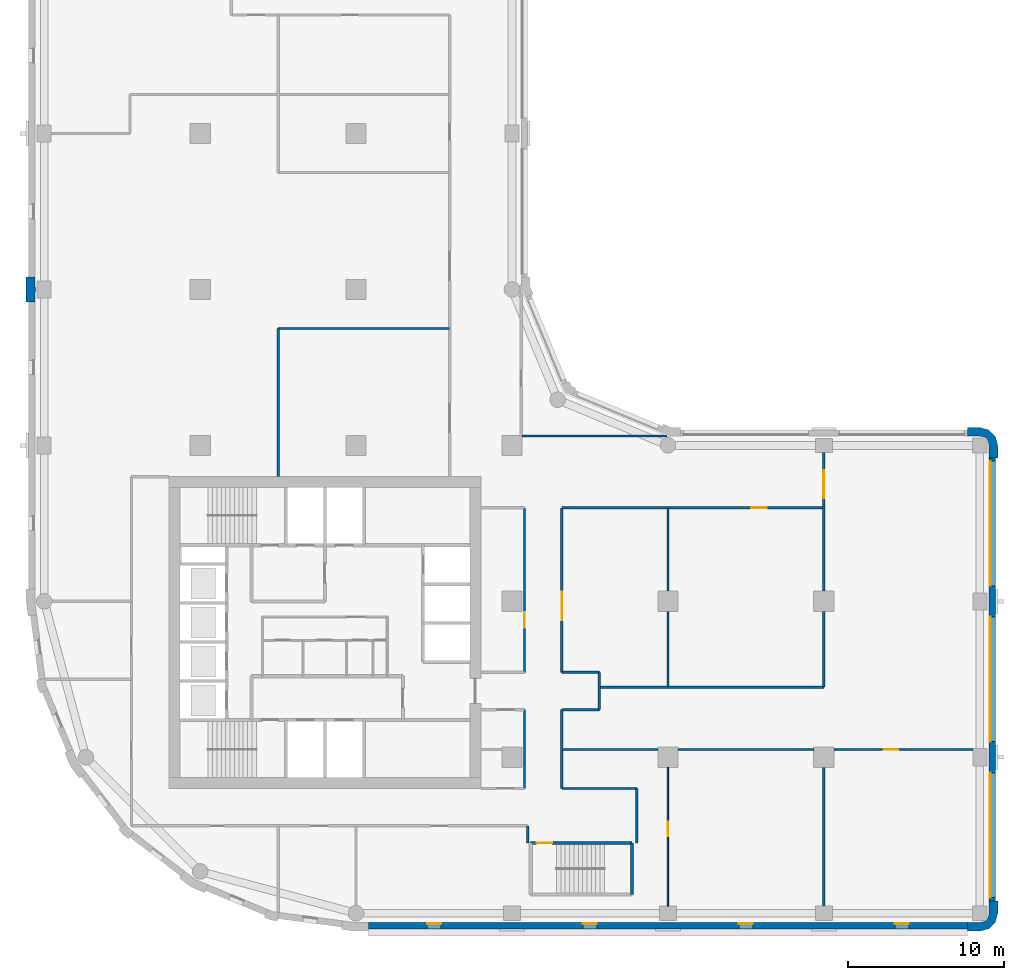
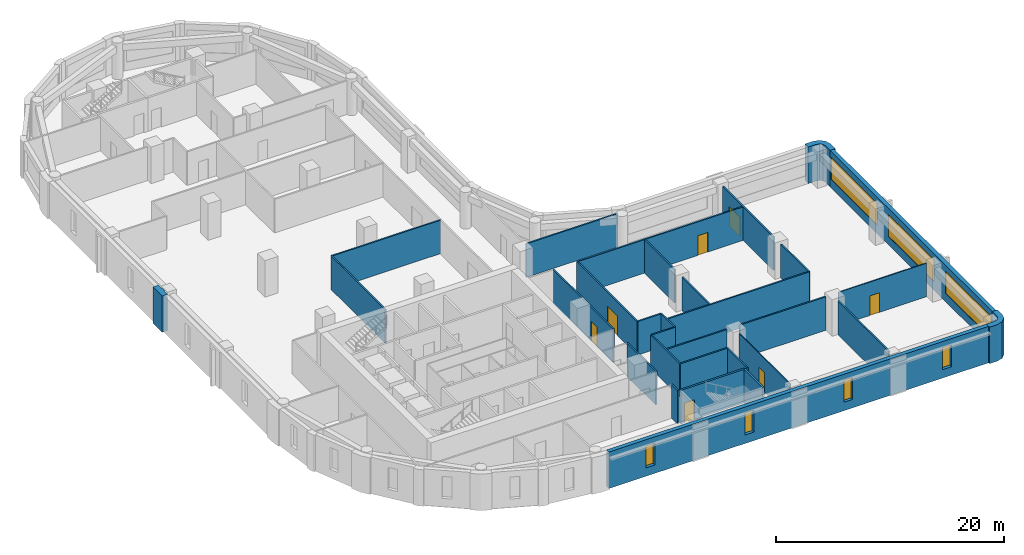
# One storey, part 4 of 9: 31 walls, 7 doors, 7 windows, 14 openings.
"""IFC4 building model written with IfcOpenShell, lengths in metres."""

import ifcopenshell
import ifcopenshell.guid

model = None  # the IFC model being written
_history = None  # IfcOwnerHistory: only IFC2X3 demands one
_inside = {}  # id of a spatial element -> (the spatial element, [elements in it])
_under = {}  # id of a project, library or spatial element -> (it, [spatial elements below it])
_declared = {}  # id of a project -> (the project, [libraries it declares])
_typed = {}  # id of a type object -> (the type object, [elements of that type])
_made_of = {}  # id of a material, layer set ... -> (it, [elements and type objects made of it])


def new_model(schema):
    """Start an empty IFC model of exactly this schema.

    Asked for "IFC4X3", IfcOpenShell would pick the latest addendum, in which some entities
    have other attributes; the version numbers below select the first issue.
    IFC2X3 requires an IfcOwnerHistory on every rooted entity: one is made here for all.
    """
    global model, _history
    if schema == "IFC4X3":
        model = ifcopenshell.file(schema_version=(4, 3, 0, 0))
    else:
        model = ifcopenshell.file(schema=schema)
    _inside.clear()
    _under.clear()
    _declared.clear()
    _typed.clear()
    _made_of.clear()
    _history = None
    if model.schema == "IFC2X3":
        org = make("IfcOrganization", Name="unknown")
        user = make(
            "IfcPersonAndOrganization",
            ThePerson=make("IfcPerson", FamilyName="unknown"),
            TheOrganization=org,
        )
        app = make(
            "IfcApplication",
            ApplicationDeveloper=org,
            Version="unknown",
            ApplicationFullName="unknown",
            ApplicationIdentifier="unknown",
        )
        _history = make(
            "IfcOwnerHistory",
            OwningUser=user,
            OwningApplication=app,
            ChangeAction="ADDED",
            CreationDate=0,
        )
    return model


def make(cls, **values):
    """One entity of the class cls with the attributes given. An attribute that is None is left unset."""
    return model.create_entity(
        cls, **{name: value for name, value in values.items() if value is not None}
    )


def rooted(cls, **values):
    """An entity with a GlobalId (a new one), such as an element, a storey or a relation."""
    return make(cls, GlobalId=ifcopenshell.guid.new(), OwnerHistory=_history, **values)


def si_unit(unit_type, name, prefix=None):
    """IfcSIUnit, for example si_unit("LENGTHUNIT", "METRE", prefix="MILLI")."""
    return make("IfcSIUnit", UnitType=unit_type, Prefix=prefix, Name=name)


def assignment(units):
    """IfcUnitAssignment: the units of a project."""
    return None if units is None else make("IfcUnitAssignment", Units=units)


def point(xyz):
    """IfcCartesianPoint."""
    return None if xyz is None else make("IfcCartesianPoint", Coordinates=xyz)


def direction(xyz):
    """IfcDirection."""
    return None if xyz is None else make("IfcDirection", DirectionRatios=xyz)


def frame(location, z_axis=None, x_axis=None):
    """IfcAxis2Placement3D, a coordinate frame: its origin and axes. An axis left out is left unset."""
    return make(
        "IfcAxis2Placement3D",
        Location=point(location),
        Axis=direction(z_axis),
        RefDirection=direction(x_axis),
    )


def frame_2d(location, x_axis=None):
    """IfcAxis2Placement2D, a coordinate frame in the plane: its origin and x axis."""
    return make(
        "IfcAxis2Placement2D", Location=point(location), RefDirection=direction(x_axis)
    )


def origin():
    """The frame at (0, 0, 0) with its axes left unset."""
    return frame((0.0, 0.0, 0.0))


def place(relative_to, where):
    """IfcLocalPlacement: puts the frame where relative to a parent placement (None: the world)."""
    return make(
        "IfcLocalPlacement", PlacementRelTo=relative_to, RelativePlacement=where
    )


def context(
    kind, dimensions, precision=None, world=None, true_north=None, identifier=None
):
    """IfcGeometricRepresentationContext, for example the 3D "Model" context."""
    return make(
        "IfcGeometricRepresentationContext",
        ContextIdentifier=identifier,
        ContextType=kind,
        CoordinateSpaceDimension=dimensions,
        Precision=precision,
        WorldCoordinateSystem=world,
        TrueNorth=true_north,
    )


def subcontext(parent, identifier, kind, view, scale=None):
    """IfcGeometricRepresentationSubContext, for example "Body" below "Model"."""
    return make(
        "IfcGeometricRepresentationSubContext",
        ContextIdentifier=identifier,
        ContextType=kind,
        ParentContext=parent,
        TargetScale=scale,
        TargetView=view,
    )


def project(units=None, contexts=None):
    """IfcProject with its units and contexts."""
    return rooted(
        "IfcProject",
        Name="project",
        RepresentationContexts=contexts,
        UnitsInContext=assignment(units),
    )


def spatial(cls, under=None, at=None, **own):
    """A site, building, storey or space (cls), placed at a placement, below another one or the project."""
    s = rooted(cls, ObjectPlacement=at, **own)
    if under is not None:
        _under.setdefault(under.id(), (under, []))[1].append(s)
    return s


def polyline(points):
    """IfcPolyline through the points."""
    return make("IfcPolyline", Points=[point(p) for p in points])


def profile(cls, at=None, kind="AREA", **sizes):
    """A parametric profile (cls). Its sizes go by their IFC names, for example OverallWidth=200.0."""
    return make(cls, ProfileType=kind, Position=at, **sizes)


def rectangle(**sizes):
    """IfcRectangleProfileDef."""
    return profile("IfcRectangleProfileDef", **sizes)


def outline(outer, holes=None, kind="AREA"):
    """IfcArbitraryClosedProfileDef: a profile drawn as a closed curve; with holes, ...WithVoids."""
    if holes is None:
        return make("IfcArbitraryClosedProfileDef", ProfileType=kind, OuterCurve=outer)
    return make(
        "IfcArbitraryProfileDefWithVoids",
        ProfileType=kind,
        OuterCurve=outer,
        InnerCurves=holes,
    )


def extrude(swept, where, along, depth):
    """IfcExtrudedAreaSolid: the profile swept, set in the frame where, extruded along a direction by depth."""
    return make(
        "IfcExtrudedAreaSolid",
        SweptArea=swept,
        Position=where,
        ExtrudedDirection=direction(along),
        Depth=depth,
    )


def shape(context_of_items, identifier, shape_type, items):
    """IfcShapeRepresentation: the items that make up one representation, for example the "Body"."""
    return make(
        "IfcShapeRepresentation",
        ContextOfItems=context_of_items,
        RepresentationIdentifier=identifier,
        RepresentationType=shape_type,
        Items=items,
    )


def material(Name=None, Category=None):
    """IfcMaterial."""
    return make("IfcMaterial", Name=Name, Category=Category)


def layer(
    of_material, thickness, ventilated=None, Name=None, Category=None, Priority=None
):
    """IfcMaterialLayer: one layer of a wall or slab, of a material (None: an air gap)."""
    return make(
        "IfcMaterialLayer",
        Material=of_material,
        LayerThickness=thickness,
        IsVentilated=ventilated,
        Name=Name,
        Category=Category,
        Priority=Priority,
    )


def layer_set(layers, Name=None):
    """IfcMaterialLayerSet."""
    return make("IfcMaterialLayerSet", MaterialLayers=layers, LayerSetName=Name)


def made_of(thing, what):
    """Note that an element or type object is made of a material, layer set ...; save() writes the relation."""
    if what is not None:
        _made_of.setdefault(what.id(), (what, []))[1].append(thing)
    return thing


def type_object(cls, material=None, **own):
    """A type object (cls), such as IfcWallType, which elements share."""
    return made_of(rooted(cls, **own), material)


def element(
    cls,
    number,
    at=None,
    inside=None,
    cuts=None,
    type_object=None,
    material=None,
    context=None,
    identifier="Body",
    shape_type=None,
    held_by="IfcProductDefinitionShape",
    body=None,
    shapes=None,
    **own,
):
    """One element of the class cls, such as IfcWall. Its Tag is "e" and its number.

    at: its placement. inside: the storey or other place that contains it. cuts: it is an
    opening in that element (IfcRelVoidsElement). A single representation is given by context,
    identifier, shape_type and body (its items); several are given by shapes. held_by: the class
    of the entity that holds the representations. save() writes the other relations.
    """
    e = rooted(cls, Tag="e%d" % number, ObjectPlacement=at, **own)
    if body is not None:
        shapes = [shape(context, identifier, shape_type, body)]
    if shapes is not None:
        e.Representation = make(held_by, Representations=shapes)
    if inside is not None:
        _inside.setdefault(inside.id(), (inside, []))[1].append(e)
    if cuts is not None:
        rooted(
            "IfcRelVoidsElement", RelatingBuildingElement=cuts, RelatedOpeningElement=e
        )
    if type_object is not None:
        _typed.setdefault(type_object.id(), (type_object, []))[1].append(e)
    return made_of(e, material)


def fill(opening, filler):
    """IfcRelFillsElement: the door or window that sits in an opening."""
    return rooted(
        "IfcRelFillsElement",
        RelatingOpeningElement=opening,
        RelatedBuildingElement=filler,
    )


def aggregate(whole, parts):
    """IfcRelAggregates: a whole, such as a stair, and the parts it consists of."""
    return rooted("IfcRelAggregates", RelatingObject=whole, RelatedObjects=parts)


def save(model, path):
    """Write the relations noted so far, then the file.

    IfcRelAggregates (storeys below a building ...), IfcRelContainedInSpatialStructure (elements
    in a storey), IfcRelDefinesByType, IfcRelAssociatesMaterial and IfcRelDeclares: one each for
    every whole, place, type object, material and project.
    """
    for whole, parts in _under.values():
        aggregate(whole, parts)
    for where, things in _inside.values():
        rooted(
            "IfcRelContainedInSpatialStructure",
            RelatedElements=things,
            RelatingStructure=where,
        )
    for kind, things in _typed.values():
        rooted("IfcRelDefinesByType", RelatedObjects=things, RelatingType=kind)
    for what, things in _made_of.values():
        rooted("IfcRelAssociatesMaterial", RelatedObjects=things, RelatingMaterial=what)
    for by, libraries in _declared.values():
        rooted("IfcRelDeclares", RelatingContext=by, RelatedDefinitions=libraries)
    model.write(path)


model = new_model("IFC4")

# Units and contexts
model_context = context("Model", 3, precision=1e-05, world=origin(), true_north=direction((0.0, 1.0)))
body_context = subcontext(model_context, "Body", "Model", "MODEL_VIEW")
ifc_project = project(units=[si_unit("LENGTHUNIT", "METRE"), si_unit("AREAUNIT", "SQUARE_METRE"), si_unit("VOLUMEUNIT", "CUBIC_METRE"), si_unit("PLANEANGLEUNIT", "RADIAN"), si_unit("MASSUNIT", "GRAM", prefix="KILO")], contexts=[model_context])

# Site, building, storey
site_placement = place(None, origin())
site = spatial("IfcSite", under=ifc_project, at=site_placement, CompositionType="ELEMENT")
building_placement = place(site_placement, origin())
building = spatial("IfcBuilding", under=site, at=building_placement, Name="Qaws Garden Tower", CompositionType="ELEMENT")
storey_placement = place(building_placement, frame((0.0, 0.0, 190.199951171875)))
storey = spatial("IfcBuildingStorey", under=building, at=storey_placement, Name="L46", CompositionType="ELEMENT", Elevation=190.199951171875)

# Walls
ifc_material_1 = material(Name="Clay facing brick masonry", Category="masonry")
ifc_layer_1 = layer(ifc_material_1, 0.550048828125)
ifc_layer_set_1 = layer_set([ifc_layer_1], Name="Clay facing brick masonry")
wall_type_1 = type_object("IfcWallType", Name="Brick corner pier 550 x 2400", PredefinedType="SOLIDWALL", material=ifc_layer_set_1)
placement = place(storey_placement, origin())
element("IfcWall", 1, at=placement, inside=storey, type_object=wall_type_1, Name="E-L46-pier-04", PredefinedType="SOLIDWALL", context=body_context, shape_type="SweptSolid", body=[
    extrude(outline(polyline([(59.199951171875, -1.0), (59.199951171875, -1.14990234375), (60.0, -1.14990234375), (60.574951171875, -0.995849609375), (60.995849609375, -0.574951171875), (61.14990234375, 0.0), (61.14990234375, 0.800048828125), (61.0, 0.800048828125), (60.60009765625, 0.800048828125), (60.60009765625, 0.0), (60.51953125, -0.300048828125), (60.300048828125, -0.51953125), (60.0, -0.60009765625), (59.199951171875, -0.60009765625), (59.199951171875, -1.0)])), origin(), (0.0, 0.0, 1.0), 3.900146484375),
])
element("IfcWall", 2, at=placement, inside=storey, type_object=wall_type_1, Name="E-L46-pier-07", PredefinedType="SOLIDWALL", context=body_context, shape_type="SweptSolid", body=[
    extrude(outline(polyline([(61.0, 29.199951171875), (61.14990234375, 29.199951171875), (61.14990234375, 30.0), (60.995849609375, 30.574951171875), (60.574951171875, 30.995849609375), (60.0, 31.14990234375), (59.199951171875, 31.14990234375), (59.199951171875, 31.0), (59.199951171875, 30.60009765625), (60.0, 30.60009765625), (60.300048828125, 30.51953125), (60.51953125, 30.300048828125), (60.60009765625, 30.0), (60.60009765625, 29.199951171875), (61.0, 29.199951171875)])), origin(), (0.0, 0.0, 1.0), 3.900146484375),
])

# Wall, openings, windows
ifc_material_2 = material(Name="Clay facing brick masonry", Category="masonry")
ifc_layer_2 = layer(ifc_material_2, 0.39990234375)
ifc_layer_set_2 = layer_set([ifc_layer_2], Name="Clay facing brick masonry")
wall_type_2 = type_object("IfcWallType", Name="Brick infill wall 400", PredefinedType="SOLIDWALL", material=ifc_layer_set_2)
wall_3_placement = place(storey_placement, frame((20.800048828125, -0.800048828125, 0.0), z_axis=(0.0, 0.0, 1.0), x_axis=(1.0, 0.0, 0.0)))
wall_3 = element("IfcWall", 3, at=wall_3_placement, inside=storey, type_object=wall_type_2, Name="E-L46-infill-00", PredefinedType="SOLIDWALL", context=body_context, shape_type="SweptSolid", body=[
    extrude(rectangle(XDim=38.39990234375, YDim=0.39990234375, at=frame_2d((19.199951171875, 0.0))), origin(), (0.0, 0.0, 1.0), 3.900146484375),
])
opening_1_placement = place(wall_3_placement, frame((3.75, 0.0, 0.89990234375)))
opening_1 = element("IfcOpeningElement", 4, at=opening_1_placement, cuts=wall_3, Name="Opening W09", PredefinedType="OPENING", context=body_context, shape_type="SweptSolid", body=[
    extrude(rectangle(XDim=0.89990234375, YDim=2.35009765625, at=frame_2d((0.449951171875, 1.175048828125))), frame((0.0, 0.2099609375, 0.0), z_axis=(0.0, -1.0, 0.0), x_axis=(1.0, 0.0, 0.0)), (0.0, 0.0, 1.0), 0.419921875),
])
opening_2_placement = place(wall_3_placement, frame((13.75, 0.0, 0.89990234375)))
opening_2 = element("IfcOpeningElement", 5, at=opening_2_placement, cuts=wall_3, Name="Opening W09", PredefinedType="OPENING", context=body_context, shape_type="SweptSolid", body=[
    extrude(rectangle(XDim=0.89990234375, YDim=2.35009765625, at=frame_2d((0.449951171875, 1.175048828125))), frame((0.0, 0.2099609375, 0.0), z_axis=(0.0, -1.0, 0.0), x_axis=(1.0, 0.0, 0.0)), (0.0, 0.0, 1.0), 0.419921875),
])
opening_3_placement = place(wall_3_placement, frame((23.75, 0.0, 0.89990234375)))
opening_3 = element("IfcOpeningElement", 6, at=opening_3_placement, cuts=wall_3, Name="Opening W09", PredefinedType="OPENING", context=body_context, shape_type="SweptSolid", body=[
    extrude(rectangle(XDim=0.89990234375, YDim=2.35009765625, at=frame_2d((0.449951171875, 1.175048828125))), frame((0.0, 0.2099609375, 0.0), z_axis=(0.0, -1.0, 0.0), x_axis=(1.0, 0.0, 0.0)), (0.0, 0.0, 1.0), 0.419921875),
])
opening_4_placement = place(wall_3_placement, frame((33.75, 0.0, 0.89990234375)))
opening_4 = element("IfcOpeningElement", 7, at=opening_4_placement, cuts=wall_3, Name="Opening W09", PredefinedType="OPENING", context=body_context, shape_type="SweptSolid", body=[
    extrude(rectangle(XDim=0.89990234375, YDim=2.35009765625, at=frame_2d((0.449951171875, 1.175048828125))), frame((0.0, 0.2099609375, 0.0), z_axis=(0.0, -1.0, 0.0), x_axis=(1.0, 0.0, 0.0)), (0.0, 0.0, 1.0), 0.419921875),
])
ifc_material_3 = material(Name="Aluminium framed window, clear glazing", Category="aluminium")
window_type_1 = type_object("IfcWindowType", Name="Slit window 900 x 2350", PartitioningType="SINGLE_PANEL", PredefinedType="WINDOW", material=ifc_material_3)
window_1_placement = place(opening_1_placement, origin())
window_1 = element("IfcWindow", 8, at=window_1_placement, inside=storey, type_object=window_type_1, Name="E-L46-window-00-0", OverallHeight=2.35009765625, OverallWidth=0.89990234375, PartitioningType="SINGLE_PANEL", PredefinedType="WINDOW", context=body_context, shape_type="SweptSolid", body=[
    extrude(rectangle(XDim=0.89990234375, YDim=2.35009765625, at=frame_2d((0.449951171875, 1.175048828125))), frame((0.0, 0.159912109375, 0.0), z_axis=(0.0, -1.0, 0.0), x_axis=(1.0, 0.0, 0.0)), (0.0, 0.0, 1.0), 0.06005859375),
])
fill(opening_1, window_1)
window_2_placement = place(opening_2_placement, origin())
window_2 = element("IfcWindow", 9, at=window_2_placement, inside=storey, type_object=window_type_1, Name="E-L46-window-01-0", OverallHeight=2.35009765625, OverallWidth=0.89990234375, PartitioningType="SINGLE_PANEL", PredefinedType="WINDOW", context=body_context, shape_type="SweptSolid", body=[
    extrude(rectangle(XDim=0.89990234375, YDim=2.35009765625, at=frame_2d((0.449951171875, 1.175048828125))), frame((0.0, 0.159912109375, 0.0), z_axis=(0.0, -1.0, 0.0), x_axis=(1.0, 0.0, 0.0)), (0.0, 0.0, 1.0), 0.06005859375),
])
fill(opening_2, window_2)
window_3_placement = place(opening_3_placement, origin())
window_3 = element("IfcWindow", 10, at=window_3_placement, inside=storey, type_object=window_type_1, Name="E-L46-window-02-0", OverallHeight=2.35009765625, OverallWidth=0.89990234375, PartitioningType="SINGLE_PANEL", PredefinedType="WINDOW", context=body_context, shape_type="SweptSolid", body=[
    extrude(rectangle(XDim=0.89990234375, YDim=2.35009765625, at=frame_2d((0.449951171875, 1.175048828125))), frame((0.0, 0.159912109375, 0.0), z_axis=(0.0, -1.0, 0.0), x_axis=(1.0, 0.0, 0.0)), (0.0, 0.0, 1.0), 0.06005859375),
])
fill(opening_3, window_3)
window_4_placement = place(opening_4_placement, origin())
window_4 = element("IfcWindow", 11, at=window_4_placement, inside=storey, type_object=window_type_1, Name="E-L46-window-03-0", OverallHeight=2.35009765625, OverallWidth=0.89990234375, PartitioningType="SINGLE_PANEL", PredefinedType="WINDOW", context=body_context, shape_type="SweptSolid", body=[
    extrude(rectangle(XDim=0.89990234375, YDim=2.35009765625, at=frame_2d((0.449951171875, 1.175048828125))), frame((0.0, 0.159912109375, 0.0), z_axis=(0.0, -1.0, 0.0), x_axis=(1.0, 0.0, 0.0)), (0.0, 0.0, 1.0), 0.06005859375),
])
fill(opening_4, window_4)

wall_4_placement = place(storey_placement, frame((60.800048828125, 0.800048828125, 0.0), z_axis=(0.0, 0.0, 1.0), x_axis=(0.0, 1.0, 0.0)))
wall_4 = element("IfcWall", 12, at=wall_4_placement, inside=storey, type_object=wall_type_2, Name="E-L46-infill-04", PredefinedType="SOLIDWALL", context=body_context, shape_type="SweptSolid", body=[
    extrude(rectangle(XDim=28.39990234375, YDim=0.39990234375, at=frame_2d((14.199951171875, 0.0))), origin(), (0.0, 0.0, 1.0), 3.900146484375),
])
opening_5_placement = place(wall_4_placement, frame((0.199951171875, 0.0, 0.89990234375)))
opening_5 = element("IfcOpeningElement", 13, at=opening_5_placement, cuts=wall_4, Name="Opening W01", PredefinedType="OPENING", context=body_context, shape_type="SweptSolid", body=[
    extrude(rectangle(XDim=8.0, YDim=2.35009765625, at=frame_2d((4.0, 1.175048828125))), frame((0.0, 0.2099609375, 0.0), z_axis=(0.0, -1.0, 0.0), x_axis=(1.0, 0.0, 0.0)), (0.0, 0.0, 1.0), 0.419921875),
])
opening_6_placement = place(wall_4_placement, frame((10.199951171875, 0.0, 0.89990234375)))
opening_6 = element("IfcOpeningElement", 14, at=opening_6_placement, cuts=wall_4, Name="Opening W01", PredefinedType="OPENING", context=body_context, shape_type="SweptSolid", body=[
    extrude(rectangle(XDim=8.0, YDim=2.35009765625, at=frame_2d((4.0, 1.175048828125))), frame((0.0, 0.2099609375, 0.0), z_axis=(0.0, -1.0, 0.0), x_axis=(1.0, 0.0, 0.0)), (0.0, 0.0, 1.0), 0.419921875),
])
opening_7_placement = place(wall_4_placement, frame((20.199951171875, 0.0, 0.89990234375)))
opening_7 = element("IfcOpeningElement", 15, at=opening_7_placement, cuts=wall_4, Name="Opening W01", PredefinedType="OPENING", context=body_context, shape_type="SweptSolid", body=[
    extrude(rectangle(XDim=8.0, YDim=2.35009765625, at=frame_2d((4.0, 1.175048828125))), frame((0.0, 0.2099609375, 0.0), z_axis=(0.0, -1.0, 0.0), x_axis=(1.0, 0.0, 0.0)), (0.0, 0.0, 1.0), 0.419921875),
])
ifc_material_4 = material(Name="Aluminium framed window, clear glazing", Category="aluminium")
window_type_2 = type_object("IfcWindowType", Name="Ribbon window 8000 x 2350", PartitioningType="DOUBLE_PANEL_VERTICAL", PredefinedType="WINDOW", material=ifc_material_4)
window_5_placement = place(opening_5_placement, origin())
window_5 = element("IfcWindow", 16, at=window_5_placement, inside=storey, type_object=window_type_2, Name="E-L46-window-04-0", OverallHeight=2.35009765625, OverallWidth=8.0, PartitioningType="SINGLE_PANEL", PredefinedType="WINDOW", context=body_context, shape_type="SweptSolid", body=[
    extrude(rectangle(XDim=8.0, YDim=2.35009765625, at=frame_2d((4.0, 1.175048828125))), frame((0.0, 0.159912109375, 0.0), z_axis=(0.0, -1.0, 0.0), x_axis=(1.0, 0.0, 0.0)), (0.0, 0.0, 1.0), 0.06005859375),
])
fill(opening_5, window_5)
window_6_placement = place(opening_6_placement, origin())
window_6 = element("IfcWindow", 17, at=window_6_placement, inside=storey, type_object=window_type_2, Name="E-L46-window-05-0", OverallHeight=2.35009765625, OverallWidth=8.0, PartitioningType="SINGLE_PANEL", PredefinedType="WINDOW", context=body_context, shape_type="SweptSolid", body=[
    extrude(rectangle(XDim=8.0, YDim=2.35009765625, at=frame_2d((4.0, 1.175048828125))), frame((0.0, 0.159912109375, 0.0), z_axis=(0.0, -1.0, 0.0), x_axis=(1.0, 0.0, 0.0)), (0.0, 0.0, 1.0), 0.06005859375),
])
fill(opening_6, window_6)
window_7_placement = place(opening_7_placement, origin())
window_7 = element("IfcWindow", 18, at=window_7_placement, inside=storey, type_object=window_type_2, Name="E-L46-window-06-0", OverallHeight=2.35009765625, OverallWidth=8.0, PartitioningType="SINGLE_PANEL", PredefinedType="WINDOW", context=body_context, shape_type="SweptSolid", body=[
    extrude(rectangle(XDim=8.0, YDim=2.35009765625, at=frame_2d((4.0, 1.175048828125))), frame((0.0, 0.159912109375, 0.0), z_axis=(0.0, -1.0, 0.0), x_axis=(1.0, 0.0, 0.0)), (0.0, 0.0, 1.0), 0.06005859375),
])
fill(opening_7, window_7)

# Wall
ifc_material_5 = material(Name="Clay facing brick masonry", Category="masonry")
ifc_layer_3 = layer(ifc_material_5, 0.550048828125)
ifc_layer_set_3 = layer_set([ifc_layer_3], Name="Clay facing brick masonry")
wall_type_3 = type_object("IfcWallType", Name="Brick pier 550 x 1600", PredefinedType="SOLIDWALL", material=ifc_layer_set_3)
element("IfcWall", 19, at=placement, inside=storey, type_object=wall_type_3, Name="E-L46-pier-23", PredefinedType="SOLIDWALL", context=body_context, shape_type="SweptSolid", body=[
    extrude(outline(polyline([(-0.60009765625, 39.199951171875), (-0.60009765625, 39.85009765625), (-0.550048828125, 39.85009765625), (-0.550048828125, 40.14990234375), (-0.60009765625, 40.14990234375), (-0.60009765625, 40.800048828125), (-1.0, 40.800048828125), (-1.14990234375, 40.800048828125), (-1.14990234375, 40.0), (-1.14990234375, 39.199951171875), (-1.0, 39.199951171875), (-0.60009765625, 39.199951171875)])), origin(), (0.0, 0.0, 1.0), 3.900146484375),
])

# Wall, opening, door
ifc_material_6 = material(Name="Concrete C70", Category="concrete")
ifc_layer_4 = layer(ifc_material_6, 0.199951171875)
ifc_layer_set_4 = layer_set([ifc_layer_4], Name="Concrete C70")
wall_type_4 = type_object("IfcWallType", Name="Core shaft wall 200 C70", PredefinedType="SHEAR", material=ifc_layer_set_4)
wall_6_placement = place(storey_placement, frame((31.199951171875, 4.5, 0.0), z_axis=(0.0, 0.0, 1.0), x_axis=(1.0, 0.0, 0.0)))
wall_6 = element("IfcWall", 20, at=wall_6_placement, inside=storey, type_object=wall_type_4, Name="Shaft wall", PredefinedType="SHEAR", context=body_context, shape_type="SweptSolid", body=[
    extrude(rectangle(XDim=6.5, YDim=0.199951171875, at=frame_2d((3.25, 0.0))), origin(), (0.0, 0.0, 1.0), 3.580078125),
])
opening_8_placement = place(wall_6_placement, frame((0.375, 0.0, 0.0)))
opening_8 = element("IfcOpeningElement", 21, at=opening_8_placement, cuts=wall_6, Name="Opening SD12", PredefinedType="OPENING", context=body_context, shape_type="SweptSolid", body=[
    extrude(rectangle(XDim=1.0, YDim=2.10009765625, at=frame_2d((0.5, 1.050048828125))), frame((0.0, 0.10986328125, 0.0), z_axis=(0.0, -1.0, 0.0), x_axis=(1.0, 0.0, 0.0)), (0.0, 0.0, 1.0), 0.219970703125),
])
ifc_material_7 = material(Name="Steel S235", Category="steel")
door_type_1 = type_object("IfcDoorType", Name="Stair door 1000x2100", OperationType="SINGLE_SWING_RIGHT", PredefinedType="DOOR", material=ifc_material_7)
door_1_placement = place(opening_8_placement, frame((1.0, 0.0, 0.0), z_axis=(0.0, 0.0, 1.0), x_axis=(-1.0, 0.0, 0.0)))
door_1 = element("IfcDoor", 22, at=door_1_placement, inside=storey, type_object=door_type_1, Name="Stair 5 door", OperationType="SINGLE_SWING_RIGHT", OverallHeight=2.10009765625, OverallWidth=1.0, PredefinedType="DOOR", context=body_context, shape_type="SweptSolid", body=[
    extrude(rectangle(XDim=1.0, YDim=2.10009765625, at=frame_2d((0.5, 1.050048828125))), frame((0.0, 0.02490234375, 0.0), z_axis=(0.0, -1.0, 0.0), x_axis=(1.0, 0.0, 0.0)), (0.0, 0.0, 1.0), 0.050048828125),
])
fill(opening_8, door_1)

# Wall
wall_7_placement = place(storey_placement, frame((37.699951171875, 1.199951171875, 0.0), z_axis=(0.0, 0.0, 1.0), x_axis=(0.0, 1.0, 0.0)))
element("IfcWall", 23, at=wall_7_placement, inside=storey, type_object=wall_type_4, Name="Shaft wall", PredefinedType="SHEAR", context=body_context, shape_type="SweptSolid", body=[
    extrude(rectangle(XDim=3.300048828125, YDim=0.199951171875, at=frame_2d((1.64990234375, 0.0))), origin(), (0.0, 0.0, 1.0), 3.580078125),
])

# Wall, opening, door
ifc_material_8 = material(Name="Gypsum board partition")
ifc_layer_5 = layer(ifc_material_8, 0.10009765625)
ifc_layer_set_5 = layer_set([ifc_layer_5], Name="Gypsum board partition")
wall_type_5 = type_object("IfcWallType", Name="PARTITION 100", PredefinedType="PARTITIONING", material=ifc_layer_set_5)
wall_8_placement = place(storey_placement, frame((40.0, 0.449951171875, 0.0), z_axis=(0.0, 0.0, 1.0), x_axis=(0.0, 1.0, 0.0)))
wall_8 = element("IfcWall", 24, at=wall_8_placement, inside=storey, type_object=wall_type_5, Name="O-L46-wall-001", PredefinedType="PARTITIONING", context=body_context, shape_type="SweptSolid", body=[
    extrude(rectangle(XDim=8.900146484375, YDim=0.10009765625, at=frame_2d((4.4501953125, 0.0))), origin(), (0.0, 0.0, 1.0), 3.580078125),
])
opening_9_placement = place(wall_8_placement, frame((4.47509765625, 0.0, 0.0)))
opening_9 = element("IfcOpeningElement", 25, at=opening_9_placement, cuts=wall_8, Name="Opening B621", PredefinedType="OPENING", context=body_context, shape_type="SweptSolid", body=[
    extrude(rectangle(XDim=0.949951171875, YDim=2.10009765625, at=frame_2d((0.47509765625, 1.050048828125))), frame((0.0, 0.06005859375, 0.0), z_axis=(0.0, -1.0, 0.0), x_axis=(1.0, 0.0, 0.0)), (0.0, 0.0, 1.0), 0.1201171875),
])
ifc_material_9 = material(Name="Timber and glass door leaf", Category="wood")
door_type_2 = type_object("IfcDoorType", Name="GLAZED DOOR 950 X 2100", OperationType="SINGLE_SWING_LEFT", PredefinedType="DOOR", material=ifc_material_9)
door_2_placement = place(opening_9_placement, frame((0.949951171875, 0.0, 0.0), z_axis=(0.0, 0.0, 1.0), x_axis=(-1.0, 0.0, 0.0)))
door_2 = element("IfcDoor", 26, at=door_2_placement, inside=storey, type_object=door_type_2, Name="O-L46-door-021", OperationType="SINGLE_SWING_LEFT", OverallHeight=2.10009765625, OverallWidth=0.949951171875, PredefinedType="DOOR", context=body_context, shape_type="SweptSolid", body=[
    extrude(rectangle(XDim=0.949951171875, YDim=2.10009765625, at=frame_2d((0.47509765625, 1.050048828125))), frame((0.0, 0.02490234375, 0.0), z_axis=(0.0, -1.0, 0.0), x_axis=(1.0, 0.0, 0.0)), (0.0, 0.0, 1.0), 0.050048828125),
])
fill(opening_9, door_2)

wall_9_placement = place(storey_placement, frame((50.64990234375, 10.5, 0.0), z_axis=(0.0, 0.0, 1.0), x_axis=(1.0, 0.0, 0.0)))
wall_9 = element("IfcWall", 27, at=wall_9_placement, inside=storey, type_object=wall_type_5, Name="O-L46-wall-002", PredefinedType="PARTITIONING", context=body_context, shape_type="SweptSolid", body=[
    extrude(rectangle(XDim=8.900146484375, YDim=0.10009765625, at=frame_2d((4.4501953125, 0.0))), origin(), (0.0, 0.0, 1.0), 3.580078125),
])
opening_10_placement = place(wall_9_placement, frame((3.175048828125, 0.0, 0.0)))
opening_10 = element("IfcOpeningElement", 28, at=opening_10_placement, cuts=wall_9, Name="Opening B622", PredefinedType="OPENING", context=body_context, shape_type="SweptSolid", body=[
    extrude(rectangle(XDim=0.949951171875, YDim=2.10009765625, at=frame_2d((0.47509765625, 1.050048828125))), frame((0.0, 0.06005859375, 0.0), z_axis=(0.0, -1.0, 0.0), x_axis=(1.0, 0.0, 0.0)), (0.0, 0.0, 1.0), 0.1201171875),
])
door_3_placement = place(opening_10_placement, frame((0.949951171875, 0.0, 0.0), z_axis=(0.0, 0.0, 1.0), x_axis=(-1.0, 0.0, 0.0)))
door_3 = element("IfcDoor", 29, at=door_3_placement, inside=storey, type_object=door_type_2, Name="O-L46-door-022", OperationType="SINGLE_SWING_RIGHT", OverallHeight=2.10009765625, OverallWidth=0.949951171875, PredefinedType="DOOR", context=body_context, shape_type="SweptSolid", body=[
    extrude(rectangle(XDim=0.949951171875, YDim=2.10009765625, at=frame_2d((0.47509765625, 1.050048828125))), frame((0.0, 0.02490234375, 0.0), z_axis=(0.0, -1.0, 0.0), x_axis=(1.0, 0.0, 0.0)), (0.0, 0.0, 1.0), 0.050048828125),
])
fill(opening_10, door_3)

# Walls
ifc_material_10 = material(Name="Gypsum board partition")
ifc_layer_6 = layer(ifc_material_10, 0.14990234375)
ifc_layer_set_6 = layer_set([ifc_layer_6], Name="Gypsum board partition")
wall_type_6 = type_object("IfcWallType", Name="PARTITION 150 EI 60", PredefinedType="PARTITIONING", material=ifc_layer_set_6)
wall_10_placement = place(storey_placement, frame((15.0, 28.0, 0.0), z_axis=(0.0, 0.0, 1.0), x_axis=(0.0, 1.0, 0.0)))
element("IfcWall", 30, at=wall_10_placement, inside=storey, type_object=wall_type_6, Name="O-L46-wall-008", PredefinedType="PARTITIONING", context=body_context, shape_type="SweptSolid", body=[
    extrude(rectangle(XDim=9.5, YDim=0.14990234375, at=frame_2d((4.75, 0.0))), origin(), (0.0, 0.0, 1.0), 3.580078125),
])
wall_11_placement = place(storey_placement, frame((30.800048828125, 8.0, 0.0), z_axis=(0.0, 0.0, 1.0), x_axis=(0.0, 1.0, 0.0)))
element("IfcWall", 31, at=wall_11_placement, inside=storey, type_object=wall_type_6, Name="O-L46-wall-015", PredefinedType="PARTITIONING", context=body_context, shape_type="SweptSolid", body=[
    extrude(rectangle(XDim=5.050048828125, YDim=0.14990234375, at=frame_2d((2.52490234375, 0.0))), origin(), (0.0, 0.0, 1.0), 3.580078125),
])

# Wall, opening, door
wall_12_placement = place(storey_placement, frame((30.800048828125, 15.449951171875, 0.0), z_axis=(0.0, 0.0, 1.0), x_axis=(0.0, 1.0, 0.0)))
wall_12 = element("IfcWall", 32, at=wall_12_placement, inside=storey, type_object=wall_type_6, Name="O-L46-wall-016", PredefinedType="PARTITIONING", context=body_context, shape_type="SweptSolid", body=[
    extrude(rectangle(XDim=10.550048828125, YDim=0.14990234375, at=frame_2d((5.27490234375, 0.0))), origin(), (0.0, 0.0, 1.0), 3.580078125),
])
opening_11_placement = place(wall_12_placement, frame((2.85009765625, 0.0, 0.0)))
opening_11 = element("IfcOpeningElement", 33, at=opening_11_placement, cuts=wall_12, Name="Opening B616", PredefinedType="OPENING", context=body_context, shape_type="SweptSolid", body=[
    extrude(rectangle(XDim=1.0, YDim=2.10009765625, at=frame_2d((0.5, 1.050048828125))), frame((0.0, 0.0849609375, 0.0), z_axis=(0.0, -1.0, 0.0), x_axis=(1.0, 0.0, 0.0)), (0.0, 0.0, 1.0), 0.169921875),
])
ifc_material_11 = material(Name="Timber door leaf", Category="wood")
door_type_3 = type_object("IfcDoorType", Name="TENANCY ENTRANCE DOOR 1000 X 2100", OperationType="SINGLE_SWING_LEFT", PredefinedType="DOOR", material=ifc_material_11)
door_4_placement = place(opening_11_placement, origin())
door_4 = element("IfcDoor", 34, at=door_4_placement, inside=storey, type_object=door_type_3, Name="O-L46-door-016", OperationType="SINGLE_SWING_RIGHT", OverallHeight=2.10009765625, OverallWidth=1.0, PredefinedType="DOOR", context=body_context, shape_type="SweptSolid", body=[
    extrude(rectangle(XDim=1.0, YDim=2.10009765625, at=frame_2d((0.5, 1.050048828125))), frame((0.0, 0.02490234375, 0.0), z_axis=(0.0, -1.0, 0.0), x_axis=(1.0, 0.0, 0.0)), (0.0, 0.0, 1.0), 0.050048828125),
])
fill(opening_11, door_4)

# Walls
wall_13_placement = place(storey_placement, frame((31.0, 4.5, 0.0), z_axis=(0.0, 0.0, 1.0), x_axis=(0.0, 1.0, 0.0)))
element("IfcWall", 35, at=wall_13_placement, inside=storey, type_object=wall_type_6, Name="O-L46-wall-017", PredefinedType="PARTITIONING", context=body_context, shape_type="SweptSolid", body=[
    extrude(rectangle(XDim=1.10009765625, YDim=0.14990234375, at=frame_2d((0.550048828125, 0.0))), origin(), (0.0, 0.0, 1.0), 3.580078125),
])
wall_14_placement = place(storey_placement, frame((33.199951171875, 8.0, 0.0), z_axis=(0.0, 0.0, 1.0), x_axis=(0.0, 1.0, 0.0)))
element("IfcWall", 36, at=wall_14_placement, inside=storey, type_object=wall_type_6, Name="O-L46-wall-018", PredefinedType="PARTITIONING", context=body_context, shape_type="SweptSolid", body=[
    extrude(rectangle(XDim=5.050048828125, YDim=0.14990234375, at=frame_2d((2.52490234375, 0.0))), origin(), (0.0, 0.0, 1.0), 3.580078125),
])

# Wall, opening, door
wall_15_placement = place(storey_placement, frame((33.199951171875, 15.449951171875, 0.0), z_axis=(0.0, 0.0, 1.0), x_axis=(0.0, 1.0, 0.0)))
wall_15 = element("IfcWall", 37, at=wall_15_placement, inside=storey, type_object=wall_type_6, Name="O-L46-wall-019", PredefinedType="PARTITIONING", context=body_context, shape_type="SweptSolid", body=[
    extrude(rectangle(XDim=10.550048828125, YDim=0.14990234375, at=frame_2d((5.27490234375, 0.0))), origin(), (0.0, 0.0, 1.0), 3.580078125),
])
opening_12_placement = place(wall_15_placement, frame((3.35009765625, 0.0, 0.0)))
opening_12 = element("IfcOpeningElement", 38, at=opening_12_placement, cuts=wall_15, Name="Opening B615", PredefinedType="OPENING", context=body_context, shape_type="SweptSolid", body=[
    extrude(rectangle(XDim=1.800048828125, YDim=2.10009765625, at=frame_2d((0.89990234375, 1.050048828125))), frame((0.0, 0.0849609375, 0.0), z_axis=(0.0, -1.0, 0.0), x_axis=(1.0, 0.0, 0.0)), (0.0, 0.0, 1.0), 0.169921875),
])
ifc_material_12 = material(Name="Timber door leaf", Category="wood")
door_type_4 = type_object("IfcDoorType", Name="DOUBLE DOOR 1800 X 2100", OperationType="DOUBLE_DOOR_SINGLE_SWING", PredefinedType="DOOR", material=ifc_material_12)
door_5_placement = place(opening_12_placement, frame((1.800048828125, 0.0, 0.0), z_axis=(0.0, 0.0, 1.0), x_axis=(-1.0, 0.0, 0.0)))
door_5 = element("IfcDoor", 39, at=door_5_placement, inside=storey, type_object=door_type_4, Name="O-L46-door-015", OperationType="DOUBLE_DOOR_SINGLE_SWING", OverallHeight=2.10009765625, OverallWidth=1.800048828125, PredefinedType="DOOR", context=body_context, shape_type="SweptSolid", body=[
    extrude(rectangle(XDim=1.800048828125, YDim=2.10009765625, at=frame_2d((0.89990234375, 1.050048828125))), frame((0.0, 0.02490234375, 0.0), z_axis=(0.0, -1.0, 0.0), x_axis=(1.0, 0.0, 0.0)), (0.0, 0.0, 1.0), 0.050048828125),
])
fill(opening_12, door_5)

# Walls
wall_16_placement = place(storey_placement, frame((35.60009765625, 13.050048828125, 0.0), z_axis=(0.0, 0.0, 1.0), x_axis=(0.0, 1.0, 0.0)))
element("IfcWall", 40, at=wall_16_placement, inside=storey, type_object=wall_type_6, Name="O-L46-wall-020", PredefinedType="PARTITIONING", context=body_context, shape_type="SweptSolid", body=[
    extrude(rectangle(XDim=2.39990234375, YDim=0.14990234375, at=frame_2d((1.199951171875, 0.0))), origin(), (0.0, 0.0, 1.0), 3.580078125),
])
wall_17_placement = place(storey_placement, frame((38.0, 4.5, 0.0), z_axis=(0.0, 0.0, 1.0), x_axis=(0.0, 1.0, 0.0)))
element("IfcWall", 41, at=wall_17_placement, inside=storey, type_object=wall_type_6, Name="O-L46-wall-021", PredefinedType="PARTITIONING", context=body_context, shape_type="SweptSolid", body=[
    extrude(rectangle(XDim=3.5, YDim=0.14990234375, at=frame_2d((1.75, 0.0))), origin(), (0.0, 0.0, 1.0), 3.580078125),
])
wall_18_placement = place(storey_placement, frame((40.0, 14.5, 0.0), z_axis=(0.0, 0.0, 1.0), x_axis=(0.0, 1.0, 0.0)))
element("IfcWall", 42, at=wall_18_placement, inside=storey, type_object=wall_type_6, Name="O-L46-wall-022", PredefinedType="PARTITIONING", context=body_context, shape_type="SweptSolid", body=[
    extrude(rectangle(XDim=4.85009765625, YDim=0.14990234375, at=frame_2d((2.425048828125, 0.0))), origin(), (0.0, 0.0, 1.0), 3.580078125),
])
wall_19_placement = place(storey_placement, frame((40.0, 20.64990234375, 0.0), z_axis=(0.0, 0.0, 1.0), x_axis=(0.0, 1.0, 0.0)))
element("IfcWall", 43, at=wall_19_placement, inside=storey, type_object=wall_type_6, Name="O-L46-wall-023", PredefinedType="PARTITIONING", context=body_context, shape_type="SweptSolid", body=[
    extrude(rectangle(XDim=5.35009765625, YDim=0.14990234375, at=frame_2d((2.675048828125, 0.0))), origin(), (0.0, 0.0, 1.0), 3.580078125),
])
wall_20_placement = place(storey_placement, frame((50.0, 0.449951171875, 0.0), z_axis=(0.0, 0.0, 1.0), x_axis=(0.0, 1.0, 0.0)))
element("IfcWall", 44, at=wall_20_placement, inside=storey, type_object=wall_type_6, Name="O-L46-wall-024", PredefinedType="PARTITIONING", context=body_context, shape_type="SweptSolid", body=[
    extrude(rectangle(XDim=8.900146484375, YDim=0.14990234375, at=frame_2d((4.4501953125, 0.0))), origin(), (0.0, 0.0, 1.0), 3.580078125),
])
wall_21_placement = place(storey_placement, frame((50.0, 14.5, 0.0), z_axis=(0.0, 0.0, 1.0), x_axis=(0.0, 1.0, 0.0)))
element("IfcWall", 45, at=wall_21_placement, inside=storey, type_object=wall_type_6, Name="O-L46-wall-025", PredefinedType="PARTITIONING", context=body_context, shape_type="SweptSolid", body=[
    extrude(rectangle(XDim=4.85009765625, YDim=0.14990234375, at=frame_2d((2.425048828125, 0.0))), origin(), (0.0, 0.0, 1.0), 3.580078125),
])

# Wall, opening, door
wall_22_placement = place(storey_placement, frame((50.0, 20.64990234375, 0.0), z_axis=(0.0, 0.0, 1.0), x_axis=(0.0, 1.0, 0.0)))
wall_22 = element("IfcWall", 46, at=wall_22_placement, inside=storey, type_object=wall_type_6, Name="O-L46-wall-026", PredefinedType="PARTITIONING", context=body_context, shape_type="SweptSolid", body=[
    extrude(rectangle(XDim=8.900146484375, YDim=0.14990234375, at=frame_2d((4.4501953125, 0.0))), origin(), (0.0, 0.0, 1.0), 3.580078125),
])
opening_13_placement = place(wall_22_placement, frame((5.949951171875, 0.0, 0.0)))
opening_13 = element("IfcOpeningElement", 47, at=opening_13_placement, cuts=wall_22, Name="Opening B618", PredefinedType="OPENING", context=body_context, shape_type="SweptSolid", body=[
    extrude(rectangle(XDim=1.800048828125, YDim=2.10009765625, at=frame_2d((0.89990234375, 1.050048828125))), frame((0.0, 0.0849609375, 0.0), z_axis=(0.0, -1.0, 0.0), x_axis=(1.0, 0.0, 0.0)), (0.0, 0.0, 1.0), 0.169921875),
])
door_6_placement = place(opening_13_placement, frame((1.800048828125, 0.0, 0.0), z_axis=(0.0, 0.0, 1.0), x_axis=(-1.0, 0.0, 0.0)))
door_6 = element("IfcDoor", 48, at=door_6_placement, inside=storey, type_object=door_type_4, Name="O-L46-door-018", OperationType="DOUBLE_DOOR_SINGLE_SWING", OverallHeight=2.10009765625, OverallWidth=1.800048828125, PredefinedType="DOOR", context=body_context, shape_type="SweptSolid", body=[
    extrude(rectangle(XDim=1.800048828125, YDim=2.10009765625, at=frame_2d((0.89990234375, 1.050048828125))), frame((0.0, 0.02490234375, 0.0), z_axis=(0.0, -1.0, 0.0), x_axis=(1.0, 0.0, 0.0)), (0.0, 0.0, 1.0), 0.050048828125),
])
fill(opening_13, door_6)

# Walls
wall_23_placement = place(storey_placement, frame((33.199951171875, 8.0, 0.0), z_axis=(0.0, 0.0, 1.0), x_axis=(1.0, 0.0, 0.0)))
element("IfcWall", 49, at=wall_23_placement, inside=storey, type_object=wall_type_6, Name="O-L46-wall-029", PredefinedType="PARTITIONING", context=body_context, shape_type="SweptSolid", body=[
    extrude(rectangle(XDim=4.800048828125, YDim=0.14990234375, at=frame_2d((2.39990234375, 0.0))), origin(), (0.0, 0.0, 1.0), 3.580078125),
])
wall_24_placement = place(storey_placement, frame((33.199951171875, 10.5, 0.0), z_axis=(0.0, 0.0, 1.0), x_axis=(1.0, 0.0, 0.0)))
element("IfcWall", 50, at=wall_24_placement, inside=storey, type_object=wall_type_6, Name="O-L46-wall-031", PredefinedType="PARTITIONING", context=body_context, shape_type="SweptSolid", body=[
    extrude(rectangle(XDim=6.150146484375, YDim=0.14990234375, at=frame_2d((3.0751953125, 0.0))), origin(), (0.0, 0.0, 1.0), 3.580078125),
])
wall_25_placement = place(storey_placement, frame((40.64990234375, 10.5, 0.0), z_axis=(0.0, 0.0, 1.0), x_axis=(1.0, 0.0, 0.0)))
element("IfcWall", 51, at=wall_25_placement, inside=storey, type_object=wall_type_6, Name="O-L46-wall-032", PredefinedType="PARTITIONING", context=body_context, shape_type="SweptSolid", body=[
    extrude(rectangle(XDim=8.7001953125, YDim=0.14990234375, at=frame_2d((4.35009765625, 0.0))), origin(), (0.0, 0.0, 1.0), 3.580078125),
])
wall_26_placement = place(storey_placement, frame((33.199951171875, 13.050048828125, 0.0), z_axis=(0.0, 0.0, 1.0), x_axis=(1.0, 0.0, 0.0)))
element("IfcWall", 52, at=wall_26_placement, inside=storey, type_object=wall_type_6, Name="O-L46-wall-034", PredefinedType="PARTITIONING", context=body_context, shape_type="SweptSolid", body=[
    extrude(rectangle(XDim=2.400146484375, YDim=0.14990234375, at=frame_2d((1.2001953125, 0.0))), origin(), (0.0, 0.0, 1.0), 3.580078125),
])
wall_27_placement = place(storey_placement, frame((35.60009765625, 14.5, 0.0), z_axis=(0.0, 0.0, 1.0), x_axis=(1.0, 0.0, 0.0)))
element("IfcWall", 53, at=wall_27_placement, inside=storey, type_object=wall_type_6, Name="O-L46-wall-035", PredefinedType="PARTITIONING", context=body_context, shape_type="SweptSolid", body=[
    extrude(rectangle(XDim=14.39990234375, YDim=0.14990234375, at=frame_2d((7.199951171875, 0.0))), origin(), (0.0, 0.0, 1.0), 3.580078125),
])
wall_28_placement = place(storey_placement, frame((33.199951171875, 15.449951171875, 0.0), z_axis=(0.0, 0.0, 1.0), x_axis=(1.0, 0.0, 0.0)))
element("IfcWall", 54, at=wall_28_placement, inside=storey, type_object=wall_type_6, Name="O-L46-wall-038", PredefinedType="PARTITIONING", context=body_context, shape_type="SweptSolid", body=[
    extrude(rectangle(XDim=2.400146484375, YDim=0.14990234375, at=frame_2d((1.2001953125, 0.0))), origin(), (0.0, 0.0, 1.0), 3.580078125),
])

# Wall, opening, door
wall_29_placement = place(storey_placement, frame((33.199951171875, 26.0, 0.0), z_axis=(0.0, 0.0, 1.0), x_axis=(1.0, 0.0, 0.0)))
wall_29 = element("IfcWall", 55, at=wall_29_placement, inside=storey, type_object=wall_type_6, Name="O-L46-wall-041", PredefinedType="PARTITIONING", context=body_context, shape_type="SweptSolid", body=[
    extrude(rectangle(XDim=16.800048828125, YDim=0.14990234375, at=frame_2d((8.39990234375, 0.0))), origin(), (0.0, 0.0, 1.0), 3.580078125),
])
opening_14_placement = place(wall_29_placement, frame((12.14990234375, 0.0, 0.0)))
opening_14 = element("IfcOpeningElement", 56, at=opening_14_placement, cuts=wall_29, Name="Opening B617", PredefinedType="OPENING", context=body_context, shape_type="SweptSolid", body=[
    extrude(rectangle(XDim=1.0, YDim=2.10009765625, at=frame_2d((0.5, 1.050048828125))), frame((0.0, 0.0849609375, 0.0), z_axis=(0.0, -1.0, 0.0), x_axis=(1.0, 0.0, 0.0)), (0.0, 0.0, 1.0), 0.169921875),
])
door_7_placement = place(opening_14_placement, frame((1.0, 0.0, 0.0), z_axis=(0.0, 0.0, 1.0), x_axis=(-1.0, 0.0, 0.0)))
door_7 = element("IfcDoor", 57, at=door_7_placement, inside=storey, type_object=door_type_3, Name="O-L46-door-017", OperationType="SINGLE_SWING_RIGHT", OverallHeight=2.10009765625, OverallWidth=1.0, PredefinedType="DOOR", context=body_context, shape_type="SweptSolid", body=[
    extrude(rectangle(XDim=1.0, YDim=2.10009765625, at=frame_2d((0.5, 1.050048828125))), frame((0.0, 0.02490234375, 0.0), z_axis=(0.0, -1.0, 0.0), x_axis=(1.0, 0.0, 0.0)), (0.0, 0.0, 1.0), 0.050048828125),
])
fill(opening_14, door_7)

# Walls
wall_30_placement = place(storey_placement, frame((30.64990234375, 30.60009765625, 0.0), z_axis=(0.0, 0.0, 1.0), x_axis=(1.0, 0.0, 0.0)))
element("IfcWall", 58, at=wall_30_placement, inside=storey, type_object=wall_type_6, Name="O-L46-wall-043", PredefinedType="PARTITIONING", context=body_context, shape_type="SweptSolid", body=[
    extrude(rectangle(XDim=9.288330078125, YDim=0.14990234375, at=frame_2d((4.64404296875, 0.0))), origin(), (0.0, 0.0, 1.0), 3.580078125),
])
wall_31_placement = place(storey_placement, frame((15.0, 37.5, 0.0), z_axis=(0.0, 0.0, 1.0), x_axis=(1.0, 0.0, 0.0)))
element("IfcWall", 59, at=wall_31_placement, inside=storey, type_object=wall_type_6, Name="O-L46-wall-044", PredefinedType="PARTITIONING", context=body_context, shape_type="SweptSolid", body=[
    extrude(rectangle(XDim=11.0, YDim=0.14990234375, at=frame_2d((5.5, 0.0))), origin(), (0.0, 0.0, 1.0), 3.580078125),
])

save(model, "model.ifc")
